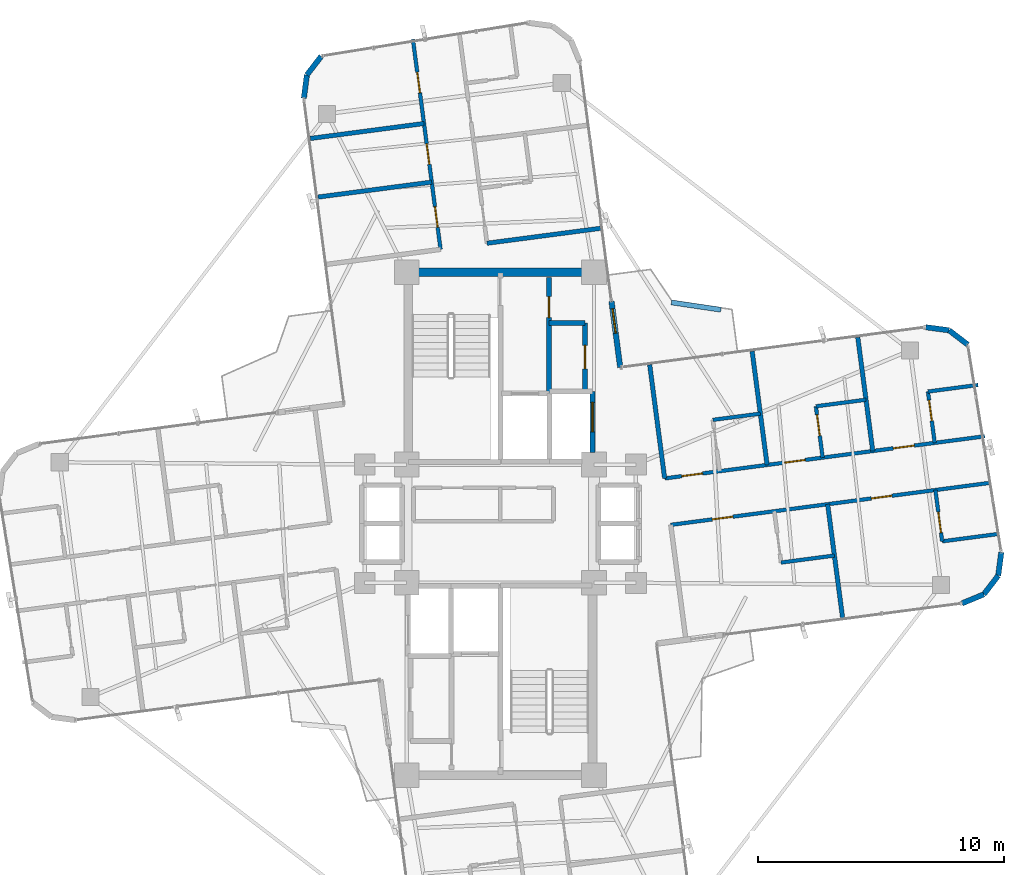
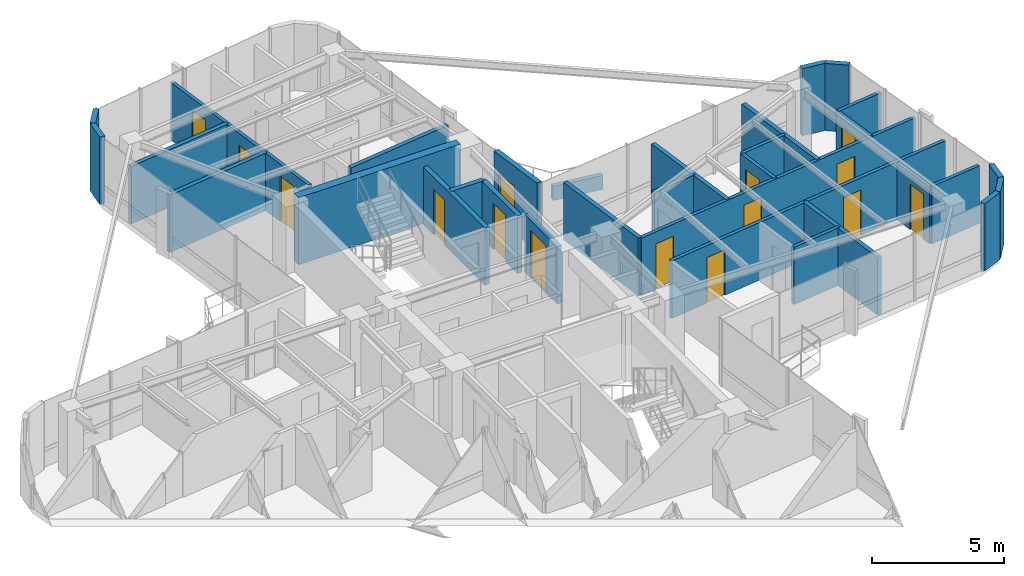
# One storey, part 20 of 22: 32 walls, 15 doors, 15 openings.
"""IFC4 building model written with IfcOpenShell, lengths in metres."""

from ifc_helpers import new_model, si_unit, direction, frame, frame_2d, origin, origin_2d, place, context, subcontext, project, spatial, rectangle, extrude, source, transform, mapped, material, layer, layer_set, type_object, element, fill, save


model = new_model("IFC4")

# Units and contexts
model_context = context("Model", 3, precision=1e-05, world=origin(), true_north=direction((0.0, 1.0)))
body_context = subcontext(model_context, "Body", "Model", "MODEL_VIEW")
ifc_project = project(units=[si_unit("LENGTHUNIT", "METRE"), si_unit("AREAUNIT", "SQUARE_METRE"), si_unit("VOLUMEUNIT", "CUBIC_METRE"), si_unit("PLANEANGLEUNIT", "RADIAN"), si_unit("MASSUNIT", "GRAM", prefix="KILO")], contexts=[model_context])

# Site, building, storey
site_placement = place(None, origin())
site = spatial("IfcSite", under=ifc_project, at=site_placement, CompositionType="ELEMENT")
building_placement = place(site_placement, origin())
building = spatial("IfcBuilding", under=site, at=building_placement, Name="Sahyath Konkavel Grand Hotel", CompositionType="ELEMENT")
storey_placement = place(building_placement, frame((0.0, 0.0, 206.5)))
storey = spatial("IfcBuildingStorey", under=building, at=storey_placement, Name="L57", CompositionType="ELEMENT", Elevation=206.5)

# Walls
ifc_material_1 = material(Name="Concrete C40/50", Category="concrete")
ifc_layer_1 = layer(ifc_material_1, 0.35009765625)
ifc_layer_set_1 = layer_set([ifc_layer_1], Name="Concrete C40/50")
wall_type_1 = type_object("IfcWallType", Name="CWALL-350", PredefinedType="SHEAR", material=ifc_layer_set_1)
wall_1_placement = place(storey_placement, frame((-3.550048828125, 10.199951171875, 0.0), z_axis=(0.0, 0.0, 1.0), x_axis=(1.0, 0.0, 0.0)))
element("IfcWall", 1, at=wall_1_placement, inside=storey, type_object=wall_type_1, Name="L57 North Core Shear Wall N", PredefinedType="SHEAR", context=body_context, shape_type="SweptSolid", body=[
    extrude(rectangle(XDim=7.10009765625, YDim=0.35009765625, at=frame_2d((3.550048828125, 0.0))), origin(), (0.0, 0.0, 1.0), 3.110107421875),
])
ifc_material_2 = material(Name="Warm Buff Sandstone Insulated Concrete C40/50", Category="masonry")
ifc_layer_2 = layer(ifc_material_2, 0.219970703125)
ifc_layer_set_2 = layer_set([ifc_layer_2], Name="Warm Buff Sandstone Insulated Concrete C40/50")
wall_type_2 = type_object("IfcWallType", Name="WLL-BALC-THRESH", PredefinedType="STANDARD", material=ifc_layer_set_2)
for number, where, z_axis, x_axis, name in (
    (2, (18.732177734375, -3.232666015625, 0.0), (0.0, 0.0, 1.0), (0.923889442397, 0.382659506909, 0.0), "L57 Rounded Corner Sandstone Pier 1"),
    (3, (19.616943359375, -2.8662109375, 0.0), (0.0, 0.0, 1.0), (0.608774010809, 0.793343685778, 0.0), "L57 Rounded Corner Sandstone Pier 2"),
    (4, (20.199951171875, -2.1064453125, 0.0), (0.0, 0.0, 1.0), (0.130527053476, 0.991444747987, 0.0), "L57 Rounded Corner Sandstone Pier 3"),
):
    element("IfcWall", number, at=place(storey_placement, frame(where, z_axis=z_axis, x_axis=x_axis)), inside=storey, type_object=wall_type_2, Name=name, PredefinedType="STANDARD", context=body_context, shape_type="SweptSolid", body=[
        extrude(rectangle(XDim=0.957763671875, YDim=0.219970703125, at=frame_2d((0.47900390625, 0.0))), origin(), (0.0, 0.0, 1.0), 3.110107421875),
    ])
wall_2_placement = place(storey_placement, frame((18.96630859375, 7.2626953125, 0.0), z_axis=(0.0, 0.0, 1.0), x_axis=(-0.793249178392, 0.608897151398, 0.0)))
element("IfcWall", 5, at=wall_2_placement, inside=storey, type_object=wall_type_2, Name="L57 Rounded Corner Sandstone Pier 5", PredefinedType="STANDARD", context=body_context, shape_type="SweptSolid", body=[
    extrude(rectangle(XDim=0.95751953125, YDim=0.219970703125, at=frame_2d((0.478759765625, 0.0))), origin(), (0.0, 0.0, 1.0), 3.110107421875),
])
wall_3_placement = place(storey_placement, frame((18.206787109375, 7.845703125, 0.0), z_axis=(0.0, 0.0, 1.0), x_axis=(-0.991444747987, 0.130527053476, 0.0)))
element("IfcWall", 6, at=wall_3_placement, inside=storey, type_object=wall_type_2, Name="L57 Rounded Corner Sandstone Pier 6", PredefinedType="STANDARD", context=body_context, shape_type="SweptSolid", body=[
    extrude(rectangle(XDim=0.957763671875, YDim=0.219970703125, at=frame_2d((0.47900390625, 0.0))), origin(), (0.0, 0.0, 1.0), 3.110107421875),
])

# Wall, opening, door
wall_4_placement = place(storey_placement, frame((4.8642578125, 6.339111328125, 0.0), z_axis=(0.0, 0.0, 1.0), x_axis=(-0.130564442062, 0.991439824936, 0.0)))
wall_4 = element("IfcWall", 7, at=wall_4_placement, inside=storey, type_object=wall_type_2, Name="L57 Winter-Garden Threshold Wall 8", PredefinedType="STANDARD", context=body_context, shape_type="SweptSolid", body=[
    extrude(rectangle(XDim=2.7001953125, YDim=0.219970703125, at=frame_2d((1.35009765625, 0.0))), origin(), (0.0, 0.0, 1.0), 3.110107421875),
])
opening_1_placement = place(wall_4_placement, frame((1.39990234375, 0.0, 0.0)))
opening_1 = element("IfcOpeningElement", 8, at=opening_1_placement, cuts=wall_4, Name="Opening D-TR1", PredefinedType="OPENING", context=body_context, shape_type="SweptSolid", body=[
    extrude(rectangle(XDim=1.0, YDim=2.199951171875, at=frame_2d((0.5, 1.10009765625))), frame((0.0, 0.1201171875, 0.0), z_axis=(0.0, -1.0, 0.0), x_axis=(1.0, 0.0, 0.0)), (0.0, 0.0, 1.0), 0.239990234375),
])
ifc_material_3 = material(Name="Anodised Bronze Aluminium & Low-E Glazing", Category="aluminium")
door_type_1 = type_object("IfcDoorType", Name="DR-TERRACE-1000", OperationType="NOTDEFINED", PredefinedType="DOOR", material=ifc_material_3)
shared_shape_1 = source(origin(), body_context, "Body", "SweptSolid", [
    extrude(rectangle(XDim=1.0, YDim=0.050048828125, at=origin_2d()), origin(), (0.0, 0.0, 1.0), 2.199951171875),
])
door_1_placement = place(opening_1_placement, frame((0.5, 0.0, 0.0)))
door_1 = element("IfcDoor", 9, at=door_1_placement, inside=storey, type_object=door_type_1, Name="L57 Winter-Garden Terrace Door 8", OperationType="SINGLE_SWING_LEFT", OverallHeight=2.199951171875, OverallWidth=1.0, PredefinedType="DOOR", context=body_context, shape_type="MappedRepresentation", body=[
    mapped(shared_shape_1, transform((0.0, 0.0, 0.0), scale=1.0)),
])
fill(opening_1, door_1)

# Walls
wall_5_placement = place(storey_placement, frame((-7.2626953125, 18.96630859375, 0.0), z_axis=(0.0, 0.0, 1.0), x_axis=(-0.608897151398, -0.793249178392, 0.0)))
element("IfcWall", 10, at=wall_5_placement, inside=storey, type_object=wall_type_2, Name="L57 Rounded Corner Sandstone Pier 13", PredefinedType="STANDARD", context=body_context, shape_type="SweptSolid", body=[
    extrude(rectangle(XDim=0.95751953125, YDim=0.219970703125, at=frame_2d((0.478759765625, 0.0))), origin(), (0.0, 0.0, 1.0), 3.110107421875),
])
wall_6_placement = place(storey_placement, frame((-7.845703125, 18.206787109375, 0.0), z_axis=(0.0, 0.0, 1.0), x_axis=(-0.130527053476, -0.991444747987, 0.0)))
element("IfcWall", 11, at=wall_6_placement, inside=storey, type_object=wall_type_2, Name="L57 Rounded Corner Sandstone Pier 14", PredefinedType="STANDARD", context=body_context, shape_type="SweptSolid", body=[
    extrude(rectangle(XDim=0.957763671875, YDim=0.219970703125, at=frame_2d((0.47900390625, 0.0))), origin(), (0.0, 0.0, 1.0), 3.110107421875),
])

# Wall, opening, door
ifc_layer_3 = layer(ifc_material_1, 0.199951171875)
ifc_layer_set_3 = layer_set([ifc_layer_3], Name="Concrete C40/50")
wall_type_3 = type_object("IfcWallType", Name="WLL-CORE-200", PredefinedType="SOLIDWALL", material=ifc_layer_set_3)
wall_7_placement = place(storey_placement, frame((1.97998046875, 5.320068359375, 0.0), z_axis=(0.0, 0.0, 1.0), x_axis=(0.0, 1.0, 0.0)))
wall_7 = element("IfcWall", 12, at=wall_7_placement, inside=storey, type_object=wall_type_3, Name="L57 North Firefighting Lobby Wall E", PredefinedType="SOLIDWALL", context=body_context, shape_type="SweptSolid", body=[
    extrude(rectangle(XDim=4.659912109375, YDim=0.199951171875, at=frame_2d((2.330078125, 0.0))), origin(), (0.0, 0.0, 1.0), 2.659912109375),
])
opening_2_placement = place(wall_7_placement, frame((3.0400390625, 0.0, 0.0)))
opening_2 = element("IfcOpeningElement", 13, at=opening_2_placement, cuts=wall_7, Name="Opening D-F12D", PredefinedType="OPENING", context=body_context, shape_type="SweptSolid", body=[
    extrude(rectangle(XDim=0.85009765625, YDim=2.10009765625, at=frame_2d((0.425048828125, 1.050048828125))), frame((0.0, 0.10986328125, 0.0), z_axis=(0.0, -1.0, 0.0), x_axis=(1.0, 0.0, 0.0)), (0.0, 0.0, 1.0), 0.219970703125),
])
ifc_material_4 = material(Name="Steel E350 Core Fire Door", Category="steel")
door_type_2 = type_object("IfcDoorType", Name="DR-FD120-850", OperationType="NOTDEFINED", PredefinedType="DOOR", material=ifc_material_4)
shared_shape_2 = source(origin(), body_context, "Body", "SweptSolid", [
    extrude(rectangle(XDim=0.85009765625, YDim=0.050048828125, at=origin_2d()), origin(), (0.0, 0.0, 1.0), 2.10009765625),
])
door_2_placement = place(opening_2_placement, frame((0.425048828125, 0.0, 0.0)))
door_2 = element("IfcDoor", 14, at=door_2_placement, inside=storey, type_object=door_type_2, Name="L57 North Firefighting Lobby Door", OperationType="SINGLE_SWING_LEFT", OverallHeight=2.10009765625, OverallWidth=0.85009765625, PredefinedType="DOOR", context=body_context, shape_type="MappedRepresentation", body=[
    mapped(shared_shape_2, transform((0.0, 0.0, 0.0), scale=1.0)),
])
fill(opening_2, door_2)

wall_8_placement = place(storey_placement, frame((3.739990234375, 2.8798828125, 0.0), z_axis=(0.0, 0.0, 1.0), x_axis=(0.0, 1.0, 0.0)))
wall_8 = element("IfcWall", 15, at=wall_8_placement, inside=storey, type_object=wall_type_3, Name="L57 Partition SH-SVL1-E", PredefinedType="SOLIDWALL", context=body_context, shape_type="SweptSolid", body=[
    extrude(rectangle(XDim=2.480224609375, YDim=0.199951171875, at=frame_2d((1.240234375, 0.0))), origin(), (0.0, 0.0, 1.0), 2.659912109375),
])
opening_3_placement = place(wall_8_placement, frame((0.840087890625, 0.0, 0.0)))
opening_3 = element("IfcOpeningElement", 16, at=opening_3_placement, cuts=wall_8, Name="Opening LD-12", PredefinedType="OPENING", context=body_context, shape_type="SweptSolid", body=[
    extrude(rectangle(XDim=1.199951171875, YDim=2.199951171875, at=frame_2d((0.60009765625, 1.10009765625))), frame((0.0, 0.10986328125, 0.0), z_axis=(0.0, -1.0, 0.0), x_axis=(1.0, 0.0, 0.0)), (0.0, 0.0, 1.0), 0.219970703125),
])
ifc_material_5 = material(Name="Stainless Steel Lift Landing Door 1200", Category="steel")
door_type_3 = type_object("IfcDoorType", Name="DR-LIFT-1200", OperationType="DOUBLE_DOOR_SLIDING", PredefinedType="DOOR", material=ifc_material_5)
shared_shape_3 = source(origin(), body_context, "Body", "SweptSolid", [
    extrude(rectangle(XDim=1.199951171875, YDim=0.050048828125, at=origin_2d()), origin(), (0.0, 0.0, 1.0), 2.199951171875),
])
door_3_placement = place(opening_3_placement, frame((0.60009765625, 0.0, 0.0)))
door_3 = element("IfcDoor", 17, at=door_3_placement, inside=storey, type_object=door_type_3, Name="L57 Service Lift SVL-1 Landing Door", OperationType="DOUBLE_DOOR_SLIDING", OverallHeight=2.199951171875, OverallWidth=1.199951171875, PredefinedType="DOOR", context=body_context, shape_type="MappedRepresentation", body=[
    mapped(shared_shape_3, transform((0.0, 0.0, 0.0), scale=1.0)),
])
fill(opening_3, door_3)

wall_9_placement = place(storey_placement, frame((3.43994140625, 5.3798828125, 0.0), z_axis=(0.0, 0.0, 1.0), x_axis=(0.0, 1.0, 0.0)))
wall_9 = element("IfcWall", 18, at=wall_9_placement, inside=storey, type_object=wall_type_3, Name="L57 Reclaimed North Core Wall E", PredefinedType="SOLIDWALL", context=body_context, shape_type="SweptSolid", body=[
    extrude(rectangle(XDim=2.77001953125, YDim=0.199951171875, at=frame_2d((1.385009765625, 0.0))), origin(), (0.0, 0.0, 1.0), 2.659912109375),
])
opening_4_placement = place(wall_9_placement, frame((0.89990234375, 0.0, 0.0)))
opening_4 = element("IfcOpeningElement", 19, at=opening_4_placement, cuts=wall_9, Name="Opening D-F06B", PredefinedType="OPENING", context=body_context, shape_type="SweptSolid", body=[
    extrude(rectangle(XDim=0.949951171875, YDim=2.14990234375, at=frame_2d((0.47509765625, 1.074951171875))), frame((0.0, 0.10986328125, 0.0), z_axis=(0.0, -1.0, 0.0), x_axis=(1.0, 0.0, 0.0)), (0.0, 0.0, 1.0), 0.219970703125),
])
ifc_material_6 = material(Name="Teak Veneer Fire-Rated Guest Entrance Door")
door_type_4 = type_object("IfcDoorType", Name="DR-FD60-950", OperationType="NOTDEFINED", PredefinedType="DOOR", material=ifc_material_6)
shared_shape_4 = source(origin(), body_context, "Body", "SweptSolid", [
    extrude(rectangle(XDim=0.949951171875, YDim=0.050048828125, at=origin_2d()), origin(), (0.0, 0.0, 1.0), 2.14990234375),
])
door_4_placement = place(opening_4_placement, frame((0.47509765625, 0.0, 0.0)))
door_4 = element("IfcDoor", 20, at=door_4_placement, inside=storey, type_object=door_type_4, Name="L57 Door NC-REC1-D", OperationType="SINGLE_SWING_LEFT", OverallHeight=2.14990234375, OverallWidth=0.949951171875, PredefinedType="DOOR", context=body_context, shape_type="MappedRepresentation", body=[
    mapped(shared_shape_4, transform((0.0, 0.0, 0.0), scale=1.0)),
])
fill(opening_4, door_4)

# Walls
wall_10_placement = place(storey_placement, frame((1.97998046875, 8.14990234375, 0.0), z_axis=(0.0, 0.0, 1.0), x_axis=(1.0, 0.0, 0.0)))
element("IfcWall", 21, at=wall_10_placement, inside=storey, type_object=wall_type_3, Name="L57 Partition NC-REC-N", PredefinedType="SOLIDWALL", context=body_context, shape_type="SweptSolid", body=[
    extrude(rectangle(XDim=1.4599609375, YDim=0.199951171875, at=frame_2d((0.72998046875, 0.0))), origin(), (0.0, 0.0, 1.0), 2.659912109375),
])
ifc_material_7 = material(Name="Twin-Stud Acoustic Gypsum Plasterboard Partition")
ifc_layer_4 = layer(ifc_material_7, 0.179931640625)
ifc_layer_set_4 = layer_set([ifc_layer_4], Name="Twin-Stud Acoustic Gypsum Plasterboard Partition")
wall_type_4 = type_object("IfcWallType", Name="WLL-DEMISE-180", PredefinedType="PARTITIONING", material=ifc_layer_set_4)
for number, where, z_axis, x_axis, name in (
    (22, (6.66748046875, 1.8359375, 0.0), (0.0, 0.0, 1.0), (-0.13051970184, 0.991445715827, 0.0), "L57 Partition E-INL"),
    (23, (10.823486328125, 2.383056640625, 0.0), (0.0, 0.0, 1.0), (-0.13051970184, 0.991445715827, 0.0), "L57 Partition E-E1L-DEM"),
):
    element("IfcWall", number, at=place(storey_placement, frame(where, z_axis=z_axis, x_axis=x_axis)), inside=storey, type_object=wall_type_4, Name=name, PredefinedType="PARTITIONING", context=body_context, shape_type="SweptSolid", body=[
        extrude(rectangle(XDim=4.650146484375, YDim=0.179931640625, at=frame_2d((2.3251953125, 0.0))), origin(), (0.0, 0.0, 1.0), 2.659912109375),
    ])
for number, where, z_axis, x_axis, name in (
    (24, (15.109619140625, 2.947509765625, 0.0), (0.0, 0.0, 1.0), (-0.130526496103, 0.991444821367, 0.0), "L57 Partition E-E2L-DEM"),
    (25, (13.279541015625, 0.7900390625, 0.0), (0.0, 0.0, 1.0), (0.130526496103, -0.991444821367, 0.0), "L57 Partition E-E1R-DEM"),
    (26, (4.070556640625, 11.98388671875, 0.0), (0.0, 0.0, 1.0), (-0.991444821367, -0.130526496103, 0.0), "L57 Partition N-INR"),
    (27, (-2.78271484375, 13.857421875, 0.0), (0.0, 0.0, 1.0), (-0.991444821367, -0.130526496103, 0.0), "L57 Partition N-N1L-DEM"),
    (28, (-3.095703125, 16.23486328125, 0.0), (0.0, 0.0, 1.0), (-0.991444821367, -0.130526496103, 0.0), "L57 Partition N-N2L-DEM"),
):
    element("IfcWall", number, at=place(storey_placement, frame(where, z_axis=z_axis, x_axis=x_axis)), inside=storey, type_object=wall_type_4, Name=name, PredefinedType="PARTITIONING", context=body_context, shape_type="SweptSolid", body=[
        extrude(rectangle(XDim=4.64990234375, YDim=0.179931640625, at=frame_2d((2.324951171875, 0.0))), origin(), (0.0, 0.0, 1.0), 2.659912109375),
    ])

# Wall, openings, doors
ifc_material_8 = material(Name="Fire-Rated Gypsum Plasterboard Partition")
ifc_layer_5 = layer(ifc_material_8, 0.14990234375)
ifc_layer_set_5 = layer_set([ifc_layer_5], Name="Fire-Rated Gypsum Plasterboard Partition")
wall_type_5 = type_object("IfcWallType", Name="WLL-PART-150", PredefinedType="PARTITIONING", material=ifc_layer_set_5)
wall_11_placement = place(storey_placement, frame((6.66748046875, 1.8359375, 0.0), z_axis=(0.0, 0.0, 1.0), x_axis=(0.991444016182, 0.130532611928, 0.0)))
wall_11 = element("IfcWall", 29, at=wall_11_placement, inside=storey, type_object=wall_type_5, Name="L57 Partition E-CL", PredefinedType="PARTITIONING", context=body_context, shape_type="SweptSolid", body=[
    extrude(rectangle(XDim=13.099853515625, YDim=0.14990234375, at=frame_2d((6.5498046875, 0.0))), origin(), (0.0, 0.0, 1.0), 2.659912109375),
])
opening_5_placement = place(wall_11_placement, frame((0.699951171875, 0.0, 0.0)))
opening_5 = element("IfcOpeningElement", 30, at=opening_5_placement, cuts=wall_11, Name="Opening D-F06D", PredefinedType="OPENING", context=body_context, shape_type="SweptSolid", body=[
    extrude(rectangle(XDim=0.85009765625, YDim=2.10009765625, at=frame_2d((0.425048828125, 1.050048828125))), frame((0.0, 0.0849609375, 0.0), z_axis=(0.0, -1.0, 0.0), x_axis=(1.0, 0.0, 0.0)), (0.0, 0.0, 1.0), 0.169921875),
])
opening_6_placement = place(wall_11_placement, frame((4.904052734375, 0.0, 0.0)))
opening_6 = element("IfcOpeningElement", 31, at=opening_6_placement, cuts=wall_11, Name="Opening D-F06D", PredefinedType="OPENING", context=body_context, shape_type="SweptSolid", body=[
    extrude(rectangle(XDim=0.85009765625, YDim=2.10009765625, at=frame_2d((0.425048828125, 1.050048828125))), frame((0.0, 0.0849609375, 0.0), z_axis=(0.0, -1.0, 0.0), x_axis=(1.0, 0.0, 0.0)), (0.0, 0.0, 1.0), 0.169921875),
])
opening_7_placement = place(wall_11_placement, frame((9.35693359375, 0.0, 0.0)))
opening_7 = element("IfcOpeningElement", 32, at=opening_7_placement, cuts=wall_11, Name="Opening D-F06D", PredefinedType="OPENING", context=body_context, shape_type="SweptSolid", body=[
    extrude(rectangle(XDim=0.85009765625, YDim=2.10009765625, at=frame_2d((0.425048828125, 1.050048828125))), frame((0.0, 0.0849609375, 0.0), z_axis=(0.0, -1.0, 0.0), x_axis=(1.0, 0.0, 0.0)), (0.0, 0.0, 1.0), 0.169921875),
])
ifc_material_9 = material(Name="Fire-Rated Shaft Access Door")
door_type_5 = type_object("IfcDoorType", Name="DR-FD60-850", OperationType="NOTDEFINED", PredefinedType="DOOR", material=ifc_material_9)
door_5_placement = place(opening_5_placement, frame((0.425048828125, 0.0, 0.0)))
door_5 = element("IfcDoor", 33, at=door_5_placement, inside=storey, type_object=door_type_5, Name="L57 Door E-E1L-ED", OperationType="SINGLE_SWING_RIGHT", OverallHeight=2.10009765625, OverallWidth=0.85009765625, PredefinedType="DOOR", context=body_context, shape_type="MappedRepresentation", body=[
    mapped(shared_shape_2, transform((0.0, 0.0, 0.0), scale=1.0)),
])
fill(opening_5, door_5)
door_6_placement = place(opening_6_placement, frame((0.425048828125, 0.0, 0.0)))
door_6 = element("IfcDoor", 34, at=door_6_placement, inside=storey, type_object=door_type_5, Name="L57 Door E-E2L-ED", OperationType="SINGLE_SWING_RIGHT", OverallHeight=2.10009765625, OverallWidth=0.85009765625, PredefinedType="DOOR", context=body_context, shape_type="MappedRepresentation", body=[
    mapped(shared_shape_2, transform((0.0, 0.0, 0.0), scale=1.0)),
])
fill(opening_6, door_6)
door_7_placement = place(opening_7_placement, frame((0.425048828125, 0.0, 0.0)))
door_7 = element("IfcDoor", 35, at=door_7_placement, inside=storey, type_object=door_type_5, Name="L57 Door E-E3L-ED", OperationType="SINGLE_SWING_RIGHT", OverallHeight=2.10009765625, OverallWidth=0.85009765625, PredefinedType="DOOR", context=body_context, shape_type="MappedRepresentation", body=[
    mapped(shared_shape_2, transform((0.0, 0.0, 0.0), scale=1.0)),
])
fill(opening_7, door_7)

wall_12_placement = place(storey_placement, frame((6.915283203125, -0.0478515625, 0.0), z_axis=(0.0, 0.0, 1.0), x_axis=(0.991444333722, 0.130530200068, 0.0)))
wall_12 = element("IfcWall", 36, at=wall_12_placement, inside=storey, type_object=wall_type_5, Name="L57 Partition E-CR", PredefinedType="PARTITIONING", context=body_context, shape_type="SweptSolid", body=[
    extrude(rectangle(XDim=13.10009765625, YDim=0.14990234375, at=frame_2d((6.550048828125, 0.0))), origin(), (0.0, 0.0, 1.0), 2.659912109375),
])
opening_8_placement = place(wall_12_placement, frame((1.693115234375, 0.0, 0.0)))
opening_8 = element("IfcOpeningElement", 37, at=opening_8_placement, cuts=wall_12, Name="Opening D-F06D", PredefinedType="OPENING", context=body_context, shape_type="SweptSolid", body=[
    extrude(rectangle(XDim=0.85009765625, YDim=2.10009765625, at=frame_2d((0.425048828125, 1.050048828125))), frame((0.0, 0.0849609375, 0.0), z_axis=(0.0, -1.0, 0.0), x_axis=(1.0, 0.0, 0.0)), (0.0, 0.0, 1.0), 0.169921875),
])
opening_9_placement = place(wall_12_placement, frame((8.198974609375, 0.0, 0.0)))
opening_9 = element("IfcOpeningElement", 38, at=opening_9_placement, cuts=wall_12, Name="Opening D-F06D", PredefinedType="OPENING", context=body_context, shape_type="SweptSolid", body=[
    extrude(rectangle(XDim=0.85009765625, YDim=2.10009765625, at=frame_2d((0.425048828125, 1.050048828125))), frame((0.0, 0.0849609375, 0.0), z_axis=(0.0, -1.0, 0.0), x_axis=(1.0, 0.0, 0.0)), (0.0, 0.0, 1.0), 0.169921875),
])
door_8_placement = place(opening_8_placement, frame((0.425048828125, 0.0, 0.0)))
door_8 = element("IfcDoor", 39, at=door_8_placement, inside=storey, type_object=door_type_5, Name="L57 Door E-E1R-ED", OperationType="SINGLE_SWING_RIGHT", OverallHeight=2.10009765625, OverallWidth=0.85009765625, PredefinedType="DOOR", context=body_context, shape_type="MappedRepresentation", body=[
    mapped(shared_shape_2, transform((0.0, 0.0, 0.0), scale=1.0)),
])
fill(opening_8, door_8)
door_9_placement = place(opening_9_placement, frame((0.425048828125, 0.0, 0.0)))
door_9 = element("IfcDoor", 40, at=door_9_placement, inside=storey, type_object=door_type_5, Name="L57 Door E-E2R-ED", OperationType="SINGLE_SWING_RIGHT", OverallHeight=2.10009765625, OverallWidth=0.85009765625, PredefinedType="DOOR", context=body_context, shape_type="MappedRepresentation", body=[
    mapped(shared_shape_2, transform((0.0, 0.0, 0.0), scale=1.0)),
])
fill(opening_9, door_9)

# Wall
wall_13_placement = place(storey_placement, frame((8.6240234375, 4.211669921875, 0.0), z_axis=(0.0, 0.0, 1.0), x_axis=(0.991448303632, 0.130500043009, 0.0)))
element("IfcWall", 41, at=wall_13_placement, inside=storey, type_object=wall_type_5, Name="L57 Partition E-E1L-BF", PredefinedType="PARTITIONING", context=body_context, shape_type="SweptSolid", body=[
    extrude(rectangle(XDim=1.94189453125, YDim=0.14990234375, at=frame_2d((0.970947265625, 0.0))), origin(), (0.0, 0.0, 1.0), 2.659912109375),
])

# Wall, opening, door
wall_14_placement = place(storey_placement, frame((13.0771484375, 2.6796875, 0.0), z_axis=(0.0, 0.0, 1.0), x_axis=(-0.130541714651, 0.991442817683, 0.0)))
wall_14 = element("IfcWall", 42, at=wall_14_placement, inside=storey, type_object=wall_type_5, Name="L57 Partition E-E2L-BS", PredefinedType="PARTITIONING", context=body_context, shape_type="SweptSolid", body=[
    extrude(rectangle(XDim=2.100341796875, YDim=0.14990234375, at=frame_2d((1.05029296875, 0.0))), origin(), (0.0, 0.0, 1.0), 2.659912109375),
])
opening_10_placement = place(wall_14_placement, frame((0.89990234375, 0.0, 0.0)))
opening_10 = element("IfcOpeningElement", 43, at=opening_10_placement, cuts=wall_14, Name="Opening D-BT85", PredefinedType="OPENING", context=body_context, shape_type="SweptSolid", body=[
    extrude(rectangle(XDim=0.85009765625, YDim=2.10009765625, at=frame_2d((0.425048828125, 1.050048828125))), frame((0.0, 0.0849609375, 0.0), z_axis=(0.0, -1.0, 0.0), x_axis=(1.0, 0.0, 0.0)), (0.0, 0.0, 1.0), 0.169921875),
])
ifc_material_10 = material(Name="Moisture-Resistant Teak Bathroom Door")
door_type_6 = type_object("IfcDoorType", Name="DR-BATH-850", OperationType="NOTDEFINED", PredefinedType="DOOR", material=ifc_material_10)
door_10_placement = place(opening_10_placement, frame((0.425048828125, 0.0, 0.0)))
door_10 = element("IfcDoor", 44, at=door_10_placement, inside=storey, type_object=door_type_6, Name="L57 Door E-E2L-BD", OperationType="SINGLE_SWING_LEFT", OverallHeight=2.10009765625, OverallWidth=0.85009765625, PredefinedType="DOOR", context=body_context, shape_type="MappedRepresentation", body=[
    mapped(shared_shape_2, transform((0.0, 0.0, 0.0), scale=1.0)),
])
fill(opening_10, door_10)

# Wall
wall_15_placement = place(storey_placement, frame((12.802978515625, 4.761962890625, 0.0), z_axis=(0.0, 0.0, 1.0), x_axis=(0.991460374844, 0.130408301556, 0.0)))
element("IfcWall", 45, at=wall_15_placement, inside=storey, type_object=wall_type_5, Name="L57 Partition E-E2L-BF", PredefinedType="PARTITIONING", context=body_context, shape_type="SweptSolid", body=[
    extrude(rectangle(XDim=2.050048828125, YDim=0.14990234375, at=frame_2d((1.02490234375, 0.0))), origin(), (0.0, 0.0, 1.0), 2.659912109375),
])

# Wall, opening, door
wall_16_placement = place(storey_placement, frame((17.622802734375, 3.2783203125, 0.0), z_axis=(0.0, 0.0, 1.0), x_axis=(-0.13044248305, 0.9914558783, 0.0)))
wall_16 = element("IfcWall", 46, at=wall_16_placement, inside=storey, type_object=wall_type_5, Name="L57 Partition E-E3L-BS", PredefinedType="PARTITIONING", context=body_context, shape_type="SweptSolid", body=[
    extrude(rectangle(XDim=2.099853515625, YDim=0.14990234375, at=frame_2d((1.0498046875, 0.0))), origin(), (0.0, 0.0, 1.0), 2.659912109375),
])
opening_11_placement = place(wall_16_placement, frame((0.89990234375, 0.0, 0.0)))
opening_11 = element("IfcOpeningElement", 47, at=opening_11_placement, cuts=wall_16, Name="Opening D-BT85", PredefinedType="OPENING", context=body_context, shape_type="SweptSolid", body=[
    extrude(rectangle(XDim=0.85009765625, YDim=2.10009765625, at=frame_2d((0.425048828125, 1.050048828125))), frame((0.0, 0.0849609375, 0.0), z_axis=(0.0, -1.0, 0.0), x_axis=(1.0, 0.0, 0.0)), (0.0, 0.0, 1.0), 0.169921875),
])
door_11_placement = place(opening_11_placement, frame((0.425048828125, 0.0, 0.0)))
door_11 = element("IfcDoor", 48, at=door_11_placement, inside=storey, type_object=door_type_6, Name="L57 Door E-E3L-BD", OperationType="SINGLE_SWING_LEFT", OverallHeight=2.10009765625, OverallWidth=0.85009765625, PredefinedType="DOOR", context=body_context, shape_type="MappedRepresentation", body=[
    mapped(shared_shape_2, transform((0.0, 0.0, 0.0), scale=1.0)),
])
fill(opening_11, door_11)

# Walls
wall_17_placement = place(storey_placement, frame((17.348876953125, 5.3603515625, 0.0), z_axis=(0.0, 0.0, 1.0), x_axis=(0.991442940586, 0.130540781221, 0.0)))
element("IfcWall", 49, at=wall_17_placement, inside=storey, type_object=wall_type_5, Name="L57 Partition E-E3L-BF", PredefinedType="PARTITIONING", context=body_context, shape_type="SweptSolid", body=[
    extrude(rectangle(XDim=2.0498046875, YDim=0.14990234375, at=frame_2d((1.02490234375, 0.0))), origin(), (0.0, 0.0, 1.0), 2.659912109375),
])
wall_18_placement = place(storey_placement, frame((11.390380859375, -1.576904296875, 0.0), z_axis=(0.0, 0.0, 1.0), x_axis=(0.991438674405, 0.130573178313, 0.0)))
element("IfcWall", 50, at=wall_18_placement, inside=storey, type_object=wall_type_5, Name="L57 Partition E-E1R-BF", PredefinedType="PARTITIONING", context=body_context, shape_type="SweptSolid", body=[
    extrude(rectangle(XDim=2.18212890625, YDim=0.14990234375, at=frame_2d((1.091064453125, 0.0))), origin(), (0.0, 0.0, 1.0), 2.659912109375),
])

# Wall, opening, door
wall_19_placement = place(storey_placement, frame((17.65087890625, 1.365478515625, 0.0), z_axis=(0.0, 0.0, 1.0), x_axis=(0.13044248305, -0.9914558783, 0.0)))
wall_19 = element("IfcWall", 51, at=wall_19_placement, inside=storey, type_object=wall_type_5, Name="L57 Partition E-E2R-BS", PredefinedType="PARTITIONING", context=body_context, shape_type="SweptSolid", body=[
    extrude(rectangle(XDim=2.099853515625, YDim=0.14990234375, at=frame_2d((1.0498046875, 0.0))), origin(), (0.0, 0.0, 1.0), 2.6298828125),
])
opening_12_placement = place(wall_19_placement, frame((0.89990234375, 0.0, 0.0)))
opening_12 = element("IfcOpeningElement", 52, at=opening_12_placement, cuts=wall_19, Name="Opening D-BT85", PredefinedType="OPENING", context=body_context, shape_type="SweptSolid", body=[
    extrude(rectangle(XDim=0.85009765625, YDim=2.10009765625, at=frame_2d((0.425048828125, 1.050048828125))), frame((0.0, 0.0849609375, 0.0), z_axis=(0.0, -1.0, 0.0), x_axis=(1.0, 0.0, 0.0)), (0.0, 0.0, 1.0), 0.169921875),
])
door_12_placement = place(opening_12_placement, frame((0.425048828125, 0.0, 0.0)))
door_12 = element("IfcDoor", 53, at=door_12_placement, inside=storey, type_object=door_type_6, Name="L57 Door E-E2R-BD", OperationType="SINGLE_SWING_LEFT", OverallHeight=2.10009765625, OverallWidth=0.85009765625, PredefinedType="DOOR", context=body_context, shape_type="MappedRepresentation", body=[
    mapped(shared_shape_2, transform((0.0, 0.0, 0.0), scale=1.0)),
])
fill(opening_12, door_12)

# Wall
wall_20_placement = place(storey_placement, frame((17.9248046875, -0.716552734375, 0.0), z_axis=(0.0, 0.0, 1.0), x_axis=(0.991441490391, 0.130551794822, 0.0)))
element("IfcWall", 54, at=wall_20_placement, inside=storey, type_object=wall_type_5, Name="L57 Partition E-E2R-BF", PredefinedType="PARTITIONING", context=body_context, shape_type="SweptSolid", body=[
    extrude(rectangle(XDim=2.272216796875, YDim=0.14990234375, at=frame_2d((1.13623046875, 0.0))), origin(), (0.0, 0.0, 1.0), 2.659912109375),
])

# Wall, openings, doors
wall_21_placement = place(storey_placement, frame((-2.42333984375, 11.12890625, 0.0), z_axis=(0.0, 0.0, 1.0), x_axis=(-0.130530885115, 0.991444243531, 0.0)))
wall_21 = element("IfcWall", 55, at=wall_21_placement, inside=storey, type_object=wall_type_5, Name="L57 Partition N-CL", PredefinedType="PARTITIONING", context=body_context, shape_type="SweptSolid", body=[
    extrude(rectangle(XDim=8.599853515625, YDim=0.14990234375, at=frame_2d((4.2998046875, 0.0))), origin(), (0.0, 0.0, 1.0), 2.659912109375),
])
opening_13_placement = place(wall_21_placement, frame((0.90087890625, 0.0, 0.0)))
opening_13 = element("IfcOpeningElement", 56, at=opening_13_placement, cuts=wall_21, Name="Opening D-F06D", PredefinedType="OPENING", context=body_context, shape_type="SweptSolid", body=[
    extrude(rectangle(XDim=0.85009765625, YDim=2.10009765625, at=frame_2d((0.425048828125, 1.050048828125))), frame((0.0, 0.0849609375, 0.0), z_axis=(0.0, -1.0, 0.0), x_axis=(1.0, 0.0, 0.0)), (0.0, 0.0, 1.0), 0.169921875),
])
opening_14_placement = place(wall_21_placement, frame((3.47607421875, 0.0, 0.0)))
opening_14 = element("IfcOpeningElement", 57, at=opening_14_placement, cuts=wall_21, Name="Opening D-F06D", PredefinedType="OPENING", context=body_context, shape_type="SweptSolid", body=[
    extrude(rectangle(XDim=0.85009765625, YDim=2.10009765625, at=frame_2d((0.425048828125, 1.050048828125))), frame((0.0, 0.0849609375, 0.0), z_axis=(0.0, -1.0, 0.0), x_axis=(1.0, 0.0, 0.0)), (0.0, 0.0, 1.0), 0.169921875),
])
opening_15_placement = place(wall_21_placement, frame((6.39990234375, 0.0, 0.0)))
opening_15 = element("IfcOpeningElement", 58, at=opening_15_placement, cuts=wall_21, Name="Opening D-F06D", PredefinedType="OPENING", context=body_context, shape_type="SweptSolid", body=[
    extrude(rectangle(XDim=0.85009765625, YDim=2.10009765625, at=frame_2d((0.425048828125, 1.050048828125))), frame((0.0, 0.0849609375, 0.0), z_axis=(0.0, -1.0, 0.0), x_axis=(1.0, 0.0, 0.0)), (0.0, 0.0, 1.0), 0.169921875),
])
door_13_placement = place(opening_13_placement, frame((0.425048828125, 0.0, 0.0)))
door_13 = element("IfcDoor", 59, at=door_13_placement, inside=storey, type_object=door_type_5, Name="L57 Door N-N1L-D", OperationType="SINGLE_SWING_LEFT", OverallHeight=2.10009765625, OverallWidth=0.85009765625, PredefinedType="DOOR", context=body_context, shape_type="MappedRepresentation", body=[
    mapped(shared_shape_2, transform((0.0, 0.0, 0.0), scale=1.0)),
])
fill(opening_13, door_13)
door_14_placement = place(opening_14_placement, frame((0.425048828125, 0.0, 0.0)))
door_14 = element("IfcDoor", 60, at=door_14_placement, inside=storey, type_object=door_type_5, Name="L57 Door N-N2L-D", OperationType="SINGLE_SWING_RIGHT", OverallHeight=2.10009765625, OverallWidth=0.85009765625, PredefinedType="DOOR", context=body_context, shape_type="MappedRepresentation", body=[
    mapped(shared_shape_2, transform((0.0, 0.0, 0.0), scale=1.0)),
])
fill(opening_14, door_14)
door_15_placement = place(opening_15_placement, frame((0.425048828125, 0.0, 0.0)))
door_15 = element("IfcDoor", 61, at=door_15_placement, inside=storey, type_object=door_type_5, Name="L57 Door N-N3L-D", OperationType="SINGLE_SWING_LEFT", OverallHeight=2.10009765625, OverallWidth=0.85009765625, PredefinedType="DOOR", context=body_context, shape_type="MappedRepresentation", body=[
    mapped(shared_shape_2, transform((0.0, 0.0, 0.0), scale=1.0)),
])
fill(opening_15, door_15)

# Wall
ifc_material_11 = material(Name="Warm Buff Sandstone Planter Wall", Category="masonry")
ifc_layer_6 = layer(ifc_material_11, 0.199951171875)
ifc_layer_set_6 = layer_set([ifc_layer_6], Name="Warm Buff Sandstone Planter Wall")
wall_type_6 = type_object("IfcWallType", Name="WLL-PLANTER-200", PredefinedType="PARAPET", material=ifc_layer_set_6)
wall_22_placement = place(storey_placement, frame((8.951904296875, 8.67822265625, 0.0), z_axis=(0.0, 0.0, 1.0), x_axis=(-0.989233117848, 0.146348346598, 0.0)))
element("IfcWall", 62, at=wall_22_placement, inside=storey, type_object=wall_type_6, Name="L57 Sky-Garden Stone Planter PLANTER NE", PredefinedType="PARAPET", context=body_context, shape_type="SweptSolid", body=[
    extrude(rectangle(XDim=2.031982421875, YDim=0.199951171875, at=frame_2d((1.01611328125, 0.0))), origin(), (0.0, 0.0, 1.0), 0.64990234375),
])

save(model, "model.ifc")
